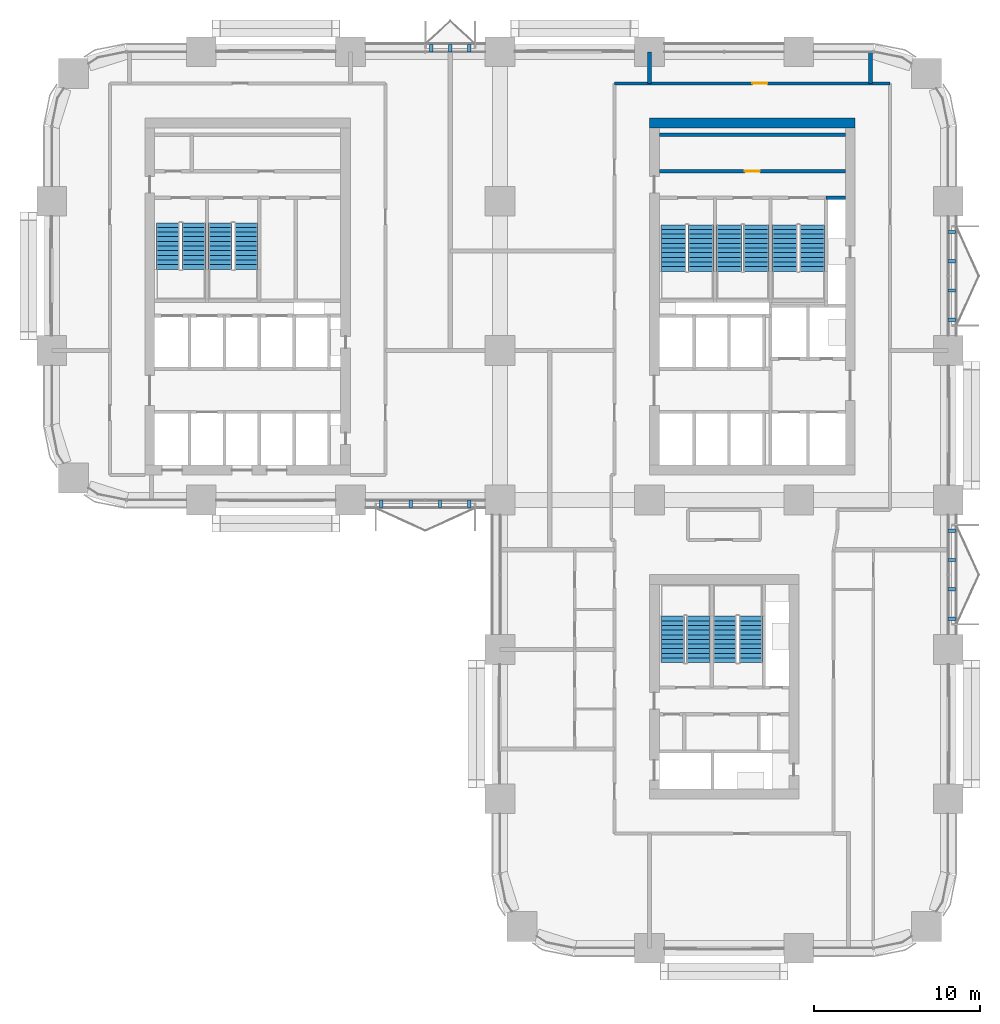
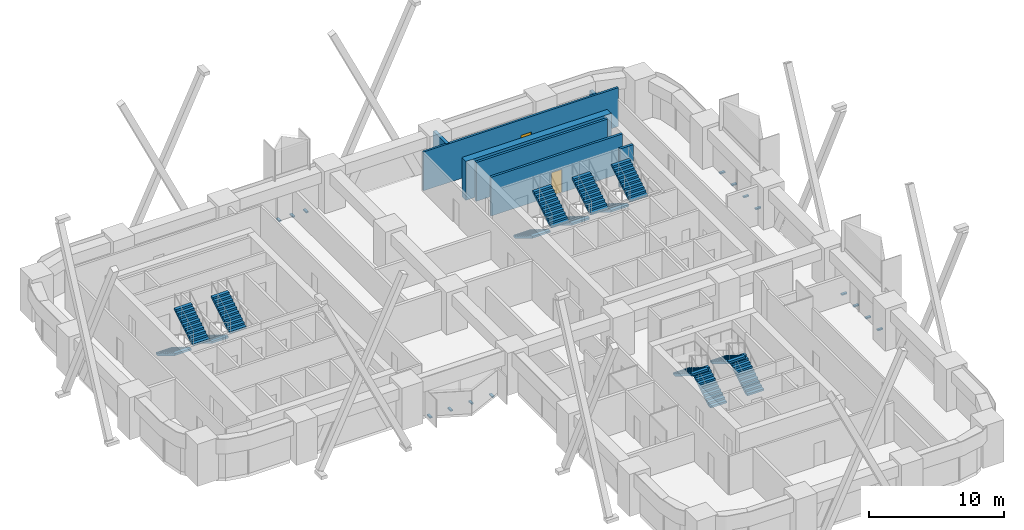
# One storey, part 17 of 19: 15 discrete accessories, 14 stair flights, 7 walls, 2 doors, 2 openings, 7 elements without a shape of their own.
"""IFC4 building model written with IfcOpenShell, lengths in metres."""

import ifcopenshell
import ifcopenshell.guid

model = None  # the IFC model being written
_history = None  # IfcOwnerHistory: only IFC2X3 demands one
_inside = {}  # id of a spatial element -> (the spatial element, [elements in it])
_under = {}  # id of a project, library or spatial element -> (it, [spatial elements below it])
_declared = {}  # id of a project -> (the project, [libraries it declares])
_typed = {}  # id of a type object -> (the type object, [elements of that type])
_made_of = {}  # id of a material, layer set ... -> (it, [elements and type objects made of it])


def new_model(schema):
    """Start an empty IFC model of exactly this schema.

    Asked for "IFC4X3", IfcOpenShell would pick the latest addendum, in which some entities
    have other attributes; the version numbers below select the first issue.
    IFC2X3 requires an IfcOwnerHistory on every rooted entity: one is made here for all.
    """
    global model, _history
    if schema == "IFC4X3":
        model = ifcopenshell.file(schema_version=(4, 3, 0, 0))
    else:
        model = ifcopenshell.file(schema=schema)
    _inside.clear()
    _under.clear()
    _declared.clear()
    _typed.clear()
    _made_of.clear()
    _history = None
    if model.schema == "IFC2X3":
        org = make("IfcOrganization", Name="unknown")
        user = make(
            "IfcPersonAndOrganization",
            ThePerson=make("IfcPerson", FamilyName="unknown"),
            TheOrganization=org,
        )
        app = make(
            "IfcApplication",
            ApplicationDeveloper=org,
            Version="unknown",
            ApplicationFullName="unknown",
            ApplicationIdentifier="unknown",
        )
        _history = make(
            "IfcOwnerHistory",
            OwningUser=user,
            OwningApplication=app,
            ChangeAction="ADDED",
            CreationDate=0,
        )
    return model


def make(cls, **values):
    """One entity of the class cls with the attributes given. An attribute that is None is left unset."""
    return model.create_entity(
        cls, **{name: value for name, value in values.items() if value is not None}
    )


def rooted(cls, **values):
    """An entity with a GlobalId (a new one), such as an element, a storey or a relation."""
    return make(cls, GlobalId=ifcopenshell.guid.new(), OwnerHistory=_history, **values)


def si_unit(unit_type, name, prefix=None):
    """IfcSIUnit, for example si_unit("LENGTHUNIT", "METRE", prefix="MILLI")."""
    return make("IfcSIUnit", UnitType=unit_type, Prefix=prefix, Name=name)


def assignment(units):
    """IfcUnitAssignment: the units of a project."""
    return None if units is None else make("IfcUnitAssignment", Units=units)


def point(xyz):
    """IfcCartesianPoint."""
    return None if xyz is None else make("IfcCartesianPoint", Coordinates=xyz)


def direction(xyz):
    """IfcDirection."""
    return None if xyz is None else make("IfcDirection", DirectionRatios=xyz)


def frame(location, z_axis=None, x_axis=None):
    """IfcAxis2Placement3D, a coordinate frame: its origin and axes. An axis left out is left unset."""
    return make(
        "IfcAxis2Placement3D",
        Location=point(location),
        Axis=direction(z_axis),
        RefDirection=direction(x_axis),
    )


def frame_2d(location, x_axis=None):
    """IfcAxis2Placement2D, a coordinate frame in the plane: its origin and x axis."""
    return make(
        "IfcAxis2Placement2D", Location=point(location), RefDirection=direction(x_axis)
    )


def origin():
    """The frame at (0, 0, 0) with its axes left unset."""
    return frame((0.0, 0.0, 0.0))


def origin_2d():
    """The frame at (0, 0) in the plane with its x axis left unset."""
    return frame_2d((0.0, 0.0))


def place(relative_to, where):
    """IfcLocalPlacement: puts the frame where relative to a parent placement (None: the world)."""
    return make(
        "IfcLocalPlacement", PlacementRelTo=relative_to, RelativePlacement=where
    )


def context(
    kind, dimensions, precision=None, world=None, true_north=None, identifier=None
):
    """IfcGeometricRepresentationContext, for example the 3D "Model" context."""
    return make(
        "IfcGeometricRepresentationContext",
        ContextIdentifier=identifier,
        ContextType=kind,
        CoordinateSpaceDimension=dimensions,
        Precision=precision,
        WorldCoordinateSystem=world,
        TrueNorth=true_north,
    )


def subcontext(parent, identifier, kind, view, scale=None):
    """IfcGeometricRepresentationSubContext, for example "Body" below "Model"."""
    return make(
        "IfcGeometricRepresentationSubContext",
        ContextIdentifier=identifier,
        ContextType=kind,
        ParentContext=parent,
        TargetScale=scale,
        TargetView=view,
    )


def project(units=None, contexts=None):
    """IfcProject with its units and contexts."""
    return rooted(
        "IfcProject",
        Name="project",
        RepresentationContexts=contexts,
        UnitsInContext=assignment(units),
    )


def spatial(cls, under=None, at=None, **own):
    """A site, building, storey or space (cls), placed at a placement, below another one or the project."""
    s = rooted(cls, ObjectPlacement=at, **own)
    if under is not None:
        _under.setdefault(under.id(), (under, []))[1].append(s)
    return s


def polyline(points):
    """IfcPolyline through the points."""
    return make("IfcPolyline", Points=[point(p) for p in points])


def profile(cls, at=None, kind="AREA", **sizes):
    """A parametric profile (cls). Its sizes go by their IFC names, for example OverallWidth=200.0."""
    return make(cls, ProfileType=kind, Position=at, **sizes)


def rectangle(**sizes):
    """IfcRectangleProfileDef."""
    return profile("IfcRectangleProfileDef", **sizes)


def outline(outer, holes=None, kind="AREA"):
    """IfcArbitraryClosedProfileDef: a profile drawn as a closed curve; with holes, ...WithVoids."""
    if holes is None:
        return make("IfcArbitraryClosedProfileDef", ProfileType=kind, OuterCurve=outer)
    return make(
        "IfcArbitraryProfileDefWithVoids",
        ProfileType=kind,
        OuterCurve=outer,
        InnerCurves=holes,
    )


def extrude(swept, where, along, depth):
    """IfcExtrudedAreaSolid: the profile swept, set in the frame where, extruded along a direction by depth."""
    return make(
        "IfcExtrudedAreaSolid",
        SweptArea=swept,
        Position=where,
        ExtrudedDirection=direction(along),
        Depth=depth,
    )


def shape(context_of_items, identifier, shape_type, items):
    """IfcShapeRepresentation: the items that make up one representation, for example the "Body"."""
    return make(
        "IfcShapeRepresentation",
        ContextOfItems=context_of_items,
        RepresentationIdentifier=identifier,
        RepresentationType=shape_type,
        Items=items,
    )


def material(Name=None, Category=None):
    """IfcMaterial."""
    return make("IfcMaterial", Name=Name, Category=Category)


def layer(
    of_material, thickness, ventilated=None, Name=None, Category=None, Priority=None
):
    """IfcMaterialLayer: one layer of a wall or slab, of a material (None: an air gap)."""
    return make(
        "IfcMaterialLayer",
        Material=of_material,
        LayerThickness=thickness,
        IsVentilated=ventilated,
        Name=Name,
        Category=Category,
        Priority=Priority,
    )


def layer_set(layers, Name=None):
    """IfcMaterialLayerSet."""
    return make("IfcMaterialLayerSet", MaterialLayers=layers, LayerSetName=Name)


def made_of(thing, what):
    """Note that an element or type object is made of a material, layer set ...; save() writes the relation."""
    if what is not None:
        _made_of.setdefault(what.id(), (what, []))[1].append(thing)
    return thing


def type_object(cls, material=None, **own):
    """A type object (cls), such as IfcWallType, which elements share."""
    return made_of(rooted(cls, **own), material)


def element(
    cls,
    number,
    at=None,
    inside=None,
    cuts=None,
    type_object=None,
    material=None,
    context=None,
    identifier="Body",
    shape_type=None,
    held_by="IfcProductDefinitionShape",
    body=None,
    shapes=None,
    **own,
):
    """One element of the class cls, such as IfcWall. Its Tag is "e" and its number.

    at: its placement. inside: the storey or other place that contains it. cuts: it is an
    opening in that element (IfcRelVoidsElement). A single representation is given by context,
    identifier, shape_type and body (its items); several are given by shapes. held_by: the class
    of the entity that holds the representations. save() writes the other relations.
    """
    e = rooted(cls, Tag="e%d" % number, ObjectPlacement=at, **own)
    if body is not None:
        shapes = [shape(context, identifier, shape_type, body)]
    if shapes is not None:
        e.Representation = make(held_by, Representations=shapes)
    if inside is not None:
        _inside.setdefault(inside.id(), (inside, []))[1].append(e)
    if cuts is not None:
        rooted(
            "IfcRelVoidsElement", RelatingBuildingElement=cuts, RelatedOpeningElement=e
        )
    if type_object is not None:
        _typed.setdefault(type_object.id(), (type_object, []))[1].append(e)
    return made_of(e, material)


def fill(opening, filler):
    """IfcRelFillsElement: the door or window that sits in an opening."""
    return rooted(
        "IfcRelFillsElement",
        RelatingOpeningElement=opening,
        RelatedBuildingElement=filler,
    )


def aggregate(whole, parts):
    """IfcRelAggregates: a whole, such as a stair, and the parts it consists of."""
    return rooted("IfcRelAggregates", RelatingObject=whole, RelatedObjects=parts)


def save(model, path):
    """Write the relations noted so far, then the file.

    IfcRelAggregates (storeys below a building ...), IfcRelContainedInSpatialStructure (elements
    in a storey), IfcRelDefinesByType, IfcRelAssociatesMaterial and IfcRelDeclares: one each for
    every whole, place, type object, material and project.
    """
    for whole, parts in _under.values():
        aggregate(whole, parts)
    for where, things in _inside.values():
        rooted(
            "IfcRelContainedInSpatialStructure",
            RelatedElements=things,
            RelatingStructure=where,
        )
    for kind, things in _typed.values():
        rooted("IfcRelDefinesByType", RelatedObjects=things, RelatingType=kind)
    for what, things in _made_of.values():
        rooted("IfcRelAssociatesMaterial", RelatedObjects=things, RelatingMaterial=what)
    for by, libraries in _declared.values():
        rooted("IfcRelDeclares", RelatingContext=by, RelatedDefinitions=libraries)
    model.write(path)


model = new_model("IFC4")

# Units and contexts
model_context = context("Model", 3, precision=1e-05, world=origin(), true_north=direction((0.0, 1.0)))
body_context = subcontext(model_context, "Body", "Model", "MODEL_VIEW")
ifc_project = project(units=[si_unit("LENGTHUNIT", "METRE"), si_unit("AREAUNIT", "SQUARE_METRE"), si_unit("VOLUMEUNIT", "CUBIC_METRE"), si_unit("PLANEANGLEUNIT", "RADIAN"), si_unit("MASSUNIT", "GRAM", prefix="KILO")], contexts=[model_context])

# Site, building, storey
site_placement = place(None, origin())
site = spatial("IfcSite", under=ifc_project, at=site_placement, CompositionType="ELEMENT")
building_placement = place(site_placement, origin())
building = spatial("IfcBuilding", under=site, at=building_placement, Name="Tessera Arch", CompositionType="ELEMENT")
storey_placement = place(building_placement, frame((0.0, 0.0, 93.0)))
storey = spatial("IfcBuildingStorey", under=building, at=storey_placement, Name="L21", CompositionType="ELEMENT", Elevation=93.0)

# Wall, opening, door
ifc_material_1 = material(Name="Gypsum board on steel stud", Category="steel")
ifc_layer_1 = layer(ifc_material_1, 0.125)
ifc_layer_set_1 = layer_set([ifc_layer_1], Name="Core partition 125 EI 60")
wall_type_1 = type_object("IfcWallType", Name="Core partition 125 EI 60", PredefinedType="PARTITIONING", material=ifc_layer_set_1)
wall_1_placement = place(storey_placement, frame((36.60009765625, 46.800048828125, 0.0), z_axis=(0.0, 0.0, 1.0), x_axis=(1.0, 0.0, 0.0)))
wall_1 = element("IfcWall", 1, at=wall_1_placement, inside=storey, type_object=wall_type_1, Name="L21 C1 partition wall 30", PredefinedType="PARTITIONING", context=body_context, shape_type="SweptSolid", body=[
    extrude(rectangle(XDim=11.199951171875, YDim=0.199951171875, at=frame_2d((5.60009765625, 0.0))), origin(), (0.0, 0.0, 1.0), 3.5),
])
opening_1_placement = place(wall_1_placement, frame((5.14990234375, 0.0, 0.0)))
opening_1 = element("IfcOpeningElement", 2, at=opening_1_placement, cuts=wall_1, Name="Opening L21-C12", PredefinedType="OPENING", context=body_context, shape_type="SweptSolid", body=[
    extrude(rectangle(XDim=0.89990234375, YDim=2.10009765625, at=frame_2d((0.449951171875, 1.050048828125))), frame((0.0, 0.10986328125, 0.0), z_axis=(0.0, -1.0, 0.0), x_axis=(1.0, 0.0, 0.0)), (0.0, 0.0, 1.0), 0.219970703125),
])
ifc_material_2 = material(Name="Steel door leaf", Category="steel")
door_type_1 = type_object("IfcDoorType", Name="Store door FD30S 900 x 2100", OperationType="SINGLE_SWING_LEFT", PredefinedType="DOOR", material=ifc_material_2)
door_1_placement = place(opening_1_placement, origin())
door_1 = element("IfcDoor", 3, at=door_1_placement, inside=storey, type_object=door_type_1, Name="L21 C1 door 12 C12 type D09", OperationType="SINGLE_SWING_RIGHT", OverallHeight=2.10009765625, OverallWidth=0.89990234375, PredefinedType="DOOR", context=body_context, shape_type="SweptSolid", body=[
    extrude(rectangle(XDim=0.89990234375, YDim=2.10009765625, at=frame_2d((0.449951171875, 1.050048828125))), frame((0.0, 0.02490234375, 0.0), z_axis=(0.0, -1.0, 0.0), x_axis=(1.0, 0.0, 0.0)), (0.0, 0.0, 1.0), 0.050048828125),
])
fill(opening_1, door_1)

# Walls
wall_2_placement = place(storey_placement, frame((36.60009765625, 49.0, 0.0), z_axis=(0.0, 0.0, 1.0), x_axis=(1.0, 0.0, 0.0)))
element("IfcWall", 4, at=wall_2_placement, inside=storey, type_object=wall_type_1, Name="L21 C1 partition wall 31", PredefinedType="PARTITIONING", context=body_context, shape_type="SweptSolid", body=[
    extrude(rectangle(XDim=11.199951171875, YDim=0.199951171875, at=frame_2d((5.60009765625, 0.0))), origin(), (0.0, 0.0, 1.0), 3.5),
])
ifc_material_3 = material(Name="Concrete C70/85", Category="concrete")
ifc_layer_2 = layer(ifc_material_3, 0.60009765625)
ifc_layer_set_2 = layer_set([ifc_layer_2], Name="Core shell wall 600 C70-85")
wall_type_2 = type_object("IfcWallType", Name="Core shell wall 600 C70-85", PredefinedType="SHEAR", material=ifc_layer_set_2)
wall_3_placement = place(storey_placement, frame((36.0, 49.699951171875, 0.0), z_axis=(0.0, 0.0, 1.0), x_axis=(1.0, 0.0, 0.0)))
element("IfcWall", 5, at=wall_3_placement, inside=storey, type_object=wall_type_2, Name="L21 C1 core wall N", PredefinedType="SHEAR", context=body_context, shape_type="SweptSolid", body=[
    extrude(rectangle(XDim=12.39990234375, YDim=0.60009765625, at=frame_2d((6.199951171875, 0.0))), origin(), (0.0, 0.0, 1.0), 3.5),
])

# Wall, opening, door
ifc_material_4 = material(Name="Gypsum board on deep steel stud with mineral wool", Category="steel")
ifc_layer_3 = layer(ifc_material_4, 0.175048828125)
ifc_layer_set_3 = layer_set([ifc_layer_3], Name="Corridor wall 175 EI 60")
wall_type_3 = type_object("IfcWallType", Name="Corridor wall 175 EI 60", PredefinedType="PARTITIONING", material=ifc_layer_set_3)
wall_4_placement = place(storey_placement, frame((33.89990234375, 52.10009765625, 0.0), z_axis=(0.0, 0.0, 1.0), x_axis=(1.0, 0.0, 0.0)))
wall_4 = element("IfcWall", 6, at=wall_4_placement, inside=storey, type_object=wall_type_3, Name="L21 partition 10", PredefinedType="PARTITIONING", context=body_context, shape_type="SweptSolid", body=[
    extrude(rectangle(XDim=16.60009765625, YDim=0.175048828125, at=frame_2d((8.300048828125, 0.0))), origin(), (0.0, 0.0, 1.0), 3.5),
])
opening_2_placement = place(wall_4_placement, frame((8.310791015625, 0.0, 0.0)))
opening_2 = element("IfcOpeningElement", 7, at=opening_2_placement, cuts=wall_4, Name="Opening L21-D023", PredefinedType="OPENING", context=body_context, shape_type="SweptSolid", body=[
    extrude(rectangle(XDim=0.89990234375, YDim=2.10009765625, at=frame_2d((0.449951171875, 1.050048828125))), frame((0.0, 0.097412109375, 0.0), z_axis=(0.0, -1.0, 0.0), x_axis=(1.0, 0.0, 0.0)), (0.0, 0.0, 1.0), 0.195068359375),
])
ifc_material_5 = material(Name="Timber door leaf", Category="wood")
door_type_2 = type_object("IfcDoorType", Name="Room door 900 x 2100", OperationType="SINGLE_SWING_LEFT", PredefinedType="DOOR", material=ifc_material_5)
door_2_placement = place(opening_2_placement, origin())
door_2 = element("IfcDoor", 8, at=door_2_placement, inside=storey, type_object=door_type_2, Name="L21 door D023 type D01", OperationType="SINGLE_SWING_LEFT", OverallHeight=2.10009765625, OverallWidth=0.89990234375, PredefinedType="DOOR", context=body_context, shape_type="SweptSolid", body=[
    extrude(rectangle(XDim=0.89990234375, YDim=2.10009765625, at=frame_2d((0.449951171875, 1.050048828125))), frame((0.0, 0.02490234375, 0.0), z_axis=(0.0, -1.0, 0.0), x_axis=(1.0, 0.0, 0.0)), (0.0, 0.0, 1.0), 0.050048828125),
])
fill(opening_2, door_2)

# Walls
ifc_material_6 = material(Name="Double gypsum board on twin steel stud with acoustic mineral wool", Category="steel")
ifc_layer_4 = layer(ifc_material_6, 0.25)
ifc_layer_set_4 = layer_set([ifc_layer_4], Name="Party wall 250 EI 60")
wall_type_4 = type_object("IfcWallType", Name="Party wall 250 EI 60", PredefinedType="PARTITIONING", material=ifc_layer_set_4)
wall_5_placement = place(storey_placement, frame((36.0, 52.10009765625, 0.0), z_axis=(0.0, 0.0, 1.0), x_axis=(0.0, 1.0, 0.0)))
element("IfcWall", 9, at=wall_5_placement, inside=storey, type_object=wall_type_4, Name="L21 partition 39", PredefinedType="PARTITIONING", context=body_context, shape_type="SweptSolid", body=[
    extrude(rectangle(XDim=1.89990234375, YDim=0.25, at=frame_2d((0.949951171875, 0.0))), origin(), (0.0, 0.0, 1.0), 3.5),
])
wall_6_placement = place(storey_placement, frame((49.322021484375, 52.10009765625, 0.0), z_axis=(0.0, 0.0, 1.0), x_axis=(0.0, 1.0, 0.0)))
element("IfcWall", 10, at=wall_6_placement, inside=storey, type_object=wall_type_4, Name="L21 partition 41", PredefinedType="PARTITIONING", context=body_context, shape_type="SweptSolid", body=[
    extrude(rectangle(XDim=1.89990234375, YDim=0.25, at=frame_2d((0.949951171875, 0.0))), origin(), (0.0, 0.0, 1.0), 2.5),
])
ifc_material_7 = material(Name="Concrete C40/50", Category="concrete")
ifc_layer_5 = layer(ifc_material_7, 0.199951171875)
ifc_layer_set_5 = layer_set([ifc_layer_5], Name="Shaft wall 200 EI 120")
wall_type_5 = type_object("IfcWallType", Name="Shaft wall 200 EI 120", PredefinedType="SOLIDWALL", material=ifc_layer_set_5)
wall_7_placement = place(storey_placement, frame((46.64990234375, 45.199951171875, 0.0), z_axis=(0.0, 0.0, 1.0), x_axis=(1.0, 0.0, 0.0)))
element("IfcWall", 11, at=wall_7_placement, inside=storey, type_object=wall_type_5, Name="L21 C1 shaft wall 28", PredefinedType="SOLIDWALL", context=body_context, shape_type="SweptSolid", body=[
    extrude(rectangle(XDim=1.150146484375, YDim=0.199951171875, at=frame_2d((0.5751953125, 0.0))), origin(), (0.0, 0.0, 1.0), 3.5),
])

# Stair, stair flights
ifc_material_8 = material(Name="Concrete C40/50", Category="concrete")
stair_type_1 = type_object("IfcStairType", Name="Dogleg stair 1400", PredefinedType="HALF_TURN_STAIR", material=ifc_material_8)
stair_1_placement = place(storey_placement, origin())
stair_1 = element("IfcStair", 12, at=stair_1_placement, inside=storey, type_object=stair_type_1, Name="L21 S2a", PredefinedType="HALF_TURN_STAIR")
ifc_material_9 = material(Name="Concrete C40/50", Category="concrete")
stair_flight_type_1 = type_object("IfcStairFlightType", Name="Stair flight 1400", PredefinedType="STRAIGHT", material=ifc_material_9)
stair_flight_1_placement = place(storey_placement, frame((7.0, 43.699951171875, 0.0), z_axis=(0.0, 0.0, 1.0), x_axis=(0.0, -1.0, 0.0)))
stair_flight_1 = element("IfcStairFlight", 13, at=stair_flight_1_placement, type_object=stair_flight_type_1, Name="S2a flight 1", NumberOfRisers=11, NumberOfTreads=10, PredefinedType="STRAIGHT", RiserHeight=0.172727273, TreadLength=0.28, context=body_context, shape_type="SweptSolid", body=[
    extrude(outline(polyline([(0.0, 0.0), (0.0, 0.172607421875), (0.280029296875, 0.172607421875), (0.280029296875, 0.345458984375), (0.56005859375, 0.345458984375), (0.56005859375, 0.51806640625), (0.840087890625, 0.51806640625), (0.840087890625, 0.69091796875), (1.1201171875, 0.69091796875), (1.1201171875, 0.863525390625), (1.39990234375, 0.863525390625), (1.39990234375, 1.036376953125), (1.679931640625, 1.036376953125), (1.679931640625, 1.208984375), (1.9599609375, 1.208984375), (1.9599609375, 1.3818359375), (2.239990234375, 1.3818359375), (2.239990234375, 1.554443359375), (2.52001953125, 1.554443359375), (2.52001953125, 1.727294921875), (2.800048828125, 1.727294921875), (2.800048828125, 1.89990234375), (2.800048828125, 1.551025390625), (0.285400390625, 0.0), (0.0, 0.0)])), frame((0.0, 0.699951171875, 0.0), z_axis=(0.0, -1.0, 0.0), x_axis=(1.0, 0.0, 0.0)), (0.0, 0.0, 1.0), 1.39990234375),
])
stair_flight_2_placement = place(storey_placement, frame((8.550048828125, 40.89990234375, 1.89990234375), z_axis=(0.0, 0.0, 1.0), x_axis=(0.0, 1.0, 0.0)))
stair_flight_2 = element("IfcStairFlight", 14, at=stair_flight_2_placement, type_object=stair_flight_type_1, Name="S2a flight 2", NumberOfRisers=11, NumberOfTreads=10, PredefinedType="STRAIGHT", RiserHeight=0.172727273, TreadLength=0.28, context=body_context, shape_type="SweptSolid", body=[
    extrude(outline(polyline([(0.0, 0.0), (0.0, 0.172607421875), (0.280029296875, 0.172607421875), (0.280029296875, 0.345458984375), (0.56005859375, 0.345458984375), (0.56005859375, 0.51806640625), (0.840087890625, 0.51806640625), (0.840087890625, 0.69091796875), (1.1201171875, 0.69091796875), (1.1201171875, 0.863525390625), (1.39990234375, 0.863525390625), (1.39990234375, 1.036376953125), (1.679931640625, 1.036376953125), (1.679931640625, 1.208984375), (1.9599609375, 1.208984375), (1.9599609375, 1.3818359375), (2.239990234375, 1.3818359375), (2.239990234375, 1.554443359375), (2.52001953125, 1.554443359375), (2.52001953125, 1.727294921875), (2.800048828125, 1.727294921875), (2.800048828125, 1.89990234375), (2.800048828125, 1.551025390625), (0.285400390625, 0.0), (0.0, 0.0)])), frame((0.0, 0.699951171875, 0.0), z_axis=(0.0, -1.0, 0.0), x_axis=(1.0, 0.0, 0.0)), (0.0, 0.0, 1.0), 1.39990234375),
])
aggregate(stair_1, [stair_flight_1, stair_flight_2])

stair_2_placement = place(storey_placement, origin())
stair_2 = element("IfcStair", 15, at=stair_2_placement, inside=storey, type_object=stair_type_1, Name="L21 S2b", PredefinedType="HALF_TURN_STAIR")
stair_flight_3_placement = place(storey_placement, frame((10.14990234375, 43.699951171875, 0.0), z_axis=(0.0, 0.0, 1.0), x_axis=(0.0, -1.0, 0.0)))
stair_flight_3 = element("IfcStairFlight", 16, at=stair_flight_3_placement, type_object=stair_flight_type_1, Name="S2b flight 1", NumberOfRisers=11, NumberOfTreads=10, PredefinedType="STRAIGHT", RiserHeight=0.172727273, TreadLength=0.28, context=body_context, shape_type="SweptSolid", body=[
    extrude(outline(polyline([(0.0, 0.0), (0.0, 0.172607421875), (0.280029296875, 0.172607421875), (0.280029296875, 0.345458984375), (0.56005859375, 0.345458984375), (0.56005859375, 0.51806640625), (0.840087890625, 0.51806640625), (0.840087890625, 0.69091796875), (1.1201171875, 0.69091796875), (1.1201171875, 0.863525390625), (1.39990234375, 0.863525390625), (1.39990234375, 1.036376953125), (1.679931640625, 1.036376953125), (1.679931640625, 1.208984375), (1.9599609375, 1.208984375), (1.9599609375, 1.3818359375), (2.239990234375, 1.3818359375), (2.239990234375, 1.554443359375), (2.52001953125, 1.554443359375), (2.52001953125, 1.727294921875), (2.800048828125, 1.727294921875), (2.800048828125, 1.89990234375), (2.800048828125, 1.551025390625), (0.285400390625, 0.0), (0.0, 0.0)])), frame((0.0, 0.699951171875, 0.0), z_axis=(0.0, -1.0, 0.0), x_axis=(1.0, 0.0, 0.0)), (0.0, 0.0, 1.0), 1.39990234375),
])
stair_flight_4_placement = place(storey_placement, frame((11.699951171875, 40.89990234375, 1.89990234375), z_axis=(0.0, 0.0, 1.0), x_axis=(0.0, 1.0, 0.0)))
stair_flight_4 = element("IfcStairFlight", 17, at=stair_flight_4_placement, type_object=stair_flight_type_1, Name="S2b flight 2", NumberOfRisers=11, NumberOfTreads=10, PredefinedType="STRAIGHT", RiserHeight=0.172727273, TreadLength=0.28, context=body_context, shape_type="SweptSolid", body=[
    extrude(outline(polyline([(0.0, 0.0), (0.0, 0.172607421875), (0.280029296875, 0.172607421875), (0.280029296875, 0.345458984375), (0.56005859375, 0.345458984375), (0.56005859375, 0.51806640625), (0.840087890625, 0.51806640625), (0.840087890625, 0.69091796875), (1.1201171875, 0.69091796875), (1.1201171875, 0.863525390625), (1.39990234375, 0.863525390625), (1.39990234375, 1.036376953125), (1.679931640625, 1.036376953125), (1.679931640625, 1.208984375), (1.9599609375, 1.208984375), (1.9599609375, 1.3818359375), (2.239990234375, 1.3818359375), (2.239990234375, 1.554443359375), (2.52001953125, 1.554443359375), (2.52001953125, 1.727294921875), (2.800048828125, 1.727294921875), (2.800048828125, 1.89990234375), (2.800048828125, 1.551025390625), (0.285400390625, 0.0), (0.0, 0.0)])), frame((0.0, 0.699951171875, 0.0), z_axis=(0.0, -1.0, 0.0), x_axis=(1.0, 0.0, 0.0)), (0.0, 0.0, 1.0), 1.39990234375),
])
aggregate(stair_2, [stair_flight_3, stair_flight_4])

stair_3_placement = place(storey_placement, origin())
stair_3 = element("IfcStair", 18, at=stair_3_placement, inside=storey, type_object=stair_type_1, Name="L21 S3a", PredefinedType="HALF_TURN_STAIR")
stair_flight_5_placement = place(storey_placement, frame((38.949951171875, 17.199951171875, 0.0), z_axis=(0.0, 0.0, 1.0), x_axis=(0.0, 1.0, 0.0)))
stair_flight_5 = element("IfcStairFlight", 19, at=stair_flight_5_placement, type_object=stair_flight_type_1, Name="S3a flight 1", NumberOfRisers=11, NumberOfTreads=10, PredefinedType="STRAIGHT", RiserHeight=0.172727273, TreadLength=0.28, context=body_context, shape_type="SweptSolid", body=[
    extrude(outline(polyline([(0.0, 0.0), (0.0, 0.172607421875), (0.280029296875, 0.172607421875), (0.280029296875, 0.345458984375), (0.56005859375, 0.345458984375), (0.56005859375, 0.51806640625), (0.840087890625, 0.51806640625), (0.840087890625, 0.69091796875), (1.1201171875, 0.69091796875), (1.1201171875, 0.863525390625), (1.39990234375, 0.863525390625), (1.39990234375, 1.036376953125), (1.679931640625, 1.036376953125), (1.679931640625, 1.208984375), (1.9599609375, 1.208984375), (1.9599609375, 1.3818359375), (2.239990234375, 1.3818359375), (2.239990234375, 1.554443359375), (2.52001953125, 1.554443359375), (2.52001953125, 1.727294921875), (2.800048828125, 1.727294921875), (2.800048828125, 1.89990234375), (2.800048828125, 1.551025390625), (0.285400390625, 0.0), (0.0, 0.0)])), frame((0.0, 0.699951171875, 0.0), z_axis=(0.0, -1.0, 0.0), x_axis=(1.0, 0.0, 0.0)), (0.0, 0.0, 1.0), 1.39990234375),
])
stair_flight_6_placement = place(storey_placement, frame((37.39990234375, 20.0, 1.89990234375), z_axis=(0.0, 0.0, 1.0), x_axis=(0.0, -1.0, 0.0)))
stair_flight_6 = element("IfcStairFlight", 20, at=stair_flight_6_placement, type_object=stair_flight_type_1, Name="S3a flight 2", NumberOfRisers=11, NumberOfTreads=10, PredefinedType="STRAIGHT", RiserHeight=0.172727273, TreadLength=0.28, context=body_context, shape_type="SweptSolid", body=[
    extrude(outline(polyline([(0.0, 0.0), (0.0, 0.172607421875), (0.280029296875, 0.172607421875), (0.280029296875, 0.345458984375), (0.56005859375, 0.345458984375), (0.56005859375, 0.51806640625), (0.840087890625, 0.51806640625), (0.840087890625, 0.69091796875), (1.1201171875, 0.69091796875), (1.1201171875, 0.863525390625), (1.39990234375, 0.863525390625), (1.39990234375, 1.036376953125), (1.679931640625, 1.036376953125), (1.679931640625, 1.208984375), (1.9599609375, 1.208984375), (1.9599609375, 1.3818359375), (2.239990234375, 1.3818359375), (2.239990234375, 1.554443359375), (2.52001953125, 1.554443359375), (2.52001953125, 1.727294921875), (2.800048828125, 1.727294921875), (2.800048828125, 1.89990234375), (2.800048828125, 1.551025390625), (0.285400390625, 0.0), (0.0, 0.0)])), frame((0.0, 0.699951171875, 0.0), z_axis=(0.0, -1.0, 0.0), x_axis=(1.0, 0.0, 0.0)), (0.0, 0.0, 1.0), 1.39990234375),
])
aggregate(stair_3, [stair_flight_5, stair_flight_6])

stair_4_placement = place(storey_placement, origin())
stair_4 = element("IfcStair", 21, at=stair_4_placement, inside=storey, type_object=stair_type_1, Name="L21 S3b", PredefinedType="HALF_TURN_STAIR")
stair_flight_7_placement = place(storey_placement, frame((42.10009765625, 17.199951171875, 0.0), z_axis=(0.0, 0.0, 1.0), x_axis=(0.0, 1.0, 0.0)))
stair_flight_7 = element("IfcStairFlight", 22, at=stair_flight_7_placement, type_object=stair_flight_type_1, Name="S3b flight 1", NumberOfRisers=11, NumberOfTreads=10, PredefinedType="STRAIGHT", RiserHeight=0.172727273, TreadLength=0.28, context=body_context, shape_type="SweptSolid", body=[
    extrude(outline(polyline([(0.0, 0.0), (0.0, 0.172607421875), (0.280029296875, 0.172607421875), (0.280029296875, 0.345458984375), (0.56005859375, 0.345458984375), (0.56005859375, 0.51806640625), (0.840087890625, 0.51806640625), (0.840087890625, 0.69091796875), (1.1201171875, 0.69091796875), (1.1201171875, 0.863525390625), (1.39990234375, 0.863525390625), (1.39990234375, 1.036376953125), (1.679931640625, 1.036376953125), (1.679931640625, 1.208984375), (1.9599609375, 1.208984375), (1.9599609375, 1.3818359375), (2.239990234375, 1.3818359375), (2.239990234375, 1.554443359375), (2.52001953125, 1.554443359375), (2.52001953125, 1.727294921875), (2.800048828125, 1.727294921875), (2.800048828125, 1.89990234375), (2.800048828125, 1.551025390625), (0.285400390625, 0.0), (0.0, 0.0)])), frame((0.0, 0.699951171875, 0.0), z_axis=(0.0, -1.0, 0.0), x_axis=(1.0, 0.0, 0.0)), (0.0, 0.0, 1.0), 1.39990234375),
])
stair_flight_8_placement = place(storey_placement, frame((40.550048828125, 20.0, 1.89990234375), z_axis=(0.0, 0.0, 1.0), x_axis=(0.0, -1.0, 0.0)))
stair_flight_8 = element("IfcStairFlight", 23, at=stair_flight_8_placement, type_object=stair_flight_type_1, Name="S3b flight 2", NumberOfRisers=11, NumberOfTreads=10, PredefinedType="STRAIGHT", RiserHeight=0.172727273, TreadLength=0.28, context=body_context, shape_type="SweptSolid", body=[
    extrude(outline(polyline([(0.0, 0.0), (0.0, 0.172607421875), (0.280029296875, 0.172607421875), (0.280029296875, 0.345458984375), (0.56005859375, 0.345458984375), (0.56005859375, 0.51806640625), (0.840087890625, 0.51806640625), (0.840087890625, 0.69091796875), (1.1201171875, 0.69091796875), (1.1201171875, 0.863525390625), (1.39990234375, 0.863525390625), (1.39990234375, 1.036376953125), (1.679931640625, 1.036376953125), (1.679931640625, 1.208984375), (1.9599609375, 1.208984375), (1.9599609375, 1.3818359375), (2.239990234375, 1.3818359375), (2.239990234375, 1.554443359375), (2.52001953125, 1.554443359375), (2.52001953125, 1.727294921875), (2.800048828125, 1.727294921875), (2.800048828125, 1.89990234375), (2.800048828125, 1.551025390625), (0.285400390625, 0.0), (0.0, 0.0)])), frame((0.0, 0.699951171875, 0.0), z_axis=(0.0, -1.0, 0.0), x_axis=(1.0, 0.0, 0.0)), (0.0, 0.0, 1.0), 1.39990234375),
])
aggregate(stair_4, [stair_flight_7, stair_flight_8])

ifc_material_10 = material(Name="Concrete C40/50", Category="concrete")
stair_type_2 = type_object("IfcStairType", Name="Dogleg stair 1520", PredefinedType="HALF_TURN_STAIR", material=ifc_material_10)
stair_5_placement = place(storey_placement, origin())
stair_5 = element("IfcStair", 24, at=stair_5_placement, inside=storey, type_object=stair_type_2, Name="L21 S1a", PredefinedType="HALF_TURN_STAIR")
ifc_material_11 = material(Name="Concrete C40/50", Category="concrete")
stair_flight_type_2 = type_object("IfcStairFlightType", Name="Stair flight 1520", PredefinedType="STRAIGHT", material=ifc_material_11)
stair_flight_9_placement = place(storey_placement, frame((37.4599609375, 43.580078125, 0.0), z_axis=(0.0, 0.0, 1.0), x_axis=(0.0, -1.0, 0.0)))
stair_flight_9 = element("IfcStairFlight", 25, at=stair_flight_9_placement, type_object=stair_flight_type_2, Name="S1a flight 1", NumberOfRisers=11, NumberOfTreads=10, PredefinedType="STRAIGHT", RiserHeight=0.172727273, TreadLength=0.28, context=body_context, shape_type="SweptSolid", body=[
    extrude(outline(polyline([(0.0, 0.0), (0.0, 0.172607421875), (0.280029296875, 0.172607421875), (0.280029296875, 0.345458984375), (0.56005859375, 0.345458984375), (0.56005859375, 0.51806640625), (0.840087890625, 0.51806640625), (0.840087890625, 0.69091796875), (1.1201171875, 0.69091796875), (1.1201171875, 0.863525390625), (1.39990234375, 0.863525390625), (1.39990234375, 1.036376953125), (1.679931640625, 1.036376953125), (1.679931640625, 1.208984375), (1.9599609375, 1.208984375), (1.9599609375, 1.3818359375), (2.239990234375, 1.3818359375), (2.239990234375, 1.554443359375), (2.52001953125, 1.554443359375), (2.52001953125, 1.727294921875), (2.800048828125, 1.727294921875), (2.800048828125, 1.89990234375), (2.800048828125, 1.551025390625), (0.285400390625, 0.0), (0.0, 0.0)])), frame((0.0, 0.760009765625, 0.0), z_axis=(0.0, -1.0, 0.0), x_axis=(1.0, 0.0, 0.0)), (0.0, 0.0, 1.0), 1.52001953125),
])
stair_flight_10_placement = place(storey_placement, frame((39.090087890625, 40.780029296875, 1.89990234375), z_axis=(0.0, 0.0, 1.0), x_axis=(0.0, 1.0, 0.0)))
stair_flight_10 = element("IfcStairFlight", 26, at=stair_flight_10_placement, type_object=stair_flight_type_2, Name="S1a flight 2", NumberOfRisers=11, NumberOfTreads=10, PredefinedType="STRAIGHT", RiserHeight=0.172727273, TreadLength=0.28, context=body_context, shape_type="SweptSolid", body=[
    extrude(outline(polyline([(0.0, 0.0), (0.0, 0.172607421875), (0.280029296875, 0.172607421875), (0.280029296875, 0.345458984375), (0.56005859375, 0.345458984375), (0.56005859375, 0.51806640625), (0.840087890625, 0.51806640625), (0.840087890625, 0.69091796875), (1.1201171875, 0.69091796875), (1.1201171875, 0.863525390625), (1.39990234375, 0.863525390625), (1.39990234375, 1.036376953125), (1.679931640625, 1.036376953125), (1.679931640625, 1.208984375), (1.9599609375, 1.208984375), (1.9599609375, 1.3818359375), (2.239990234375, 1.3818359375), (2.239990234375, 1.554443359375), (2.52001953125, 1.554443359375), (2.52001953125, 1.727294921875), (2.800048828125, 1.727294921875), (2.800048828125, 1.89990234375), (2.800048828125, 1.551025390625), (0.285400390625, 0.0), (0.0, 0.0)])), frame((0.0, 0.760009765625, 0.0), z_axis=(0.0, -1.0, 0.0), x_axis=(1.0, 0.0, 0.0)), (0.0, 0.0, 1.0), 1.52001953125),
])
aggregate(stair_5, [stair_flight_9, stair_flight_10])

stair_6_placement = place(storey_placement, origin())
stair_6 = element("IfcStair", 27, at=stair_6_placement, inside=storey, type_object=stair_type_2, Name="L21 S1b", PredefinedType="HALF_TURN_STAIR")
stair_flight_11_placement = place(storey_placement, frame((40.81005859375, 43.580078125, 0.0), z_axis=(0.0, 0.0, 1.0), x_axis=(0.0, -1.0, 0.0)))
stair_flight_11 = element("IfcStairFlight", 28, at=stair_flight_11_placement, type_object=stair_flight_type_2, Name="S1b flight 1", NumberOfRisers=11, NumberOfTreads=10, PredefinedType="STRAIGHT", RiserHeight=0.172727273, TreadLength=0.28, context=body_context, shape_type="SweptSolid", body=[
    extrude(outline(polyline([(0.0, 0.0), (0.0, 0.172607421875), (0.280029296875, 0.172607421875), (0.280029296875, 0.345458984375), (0.56005859375, 0.345458984375), (0.56005859375, 0.51806640625), (0.840087890625, 0.51806640625), (0.840087890625, 0.69091796875), (1.1201171875, 0.69091796875), (1.1201171875, 0.863525390625), (1.39990234375, 0.863525390625), (1.39990234375, 1.036376953125), (1.679931640625, 1.036376953125), (1.679931640625, 1.208984375), (1.9599609375, 1.208984375), (1.9599609375, 1.3818359375), (2.239990234375, 1.3818359375), (2.239990234375, 1.554443359375), (2.52001953125, 1.554443359375), (2.52001953125, 1.727294921875), (2.800048828125, 1.727294921875), (2.800048828125, 1.89990234375), (2.800048828125, 1.551025390625), (0.285400390625, 0.0), (0.0, 0.0)])), frame((0.0, 0.760009765625, 0.0), z_axis=(0.0, -1.0, 0.0), x_axis=(1.0, 0.0, 0.0)), (0.0, 0.0, 1.0), 1.52001953125),
])
stair_flight_12_placement = place(storey_placement, frame((42.43994140625, 40.780029296875, 1.89990234375), z_axis=(0.0, 0.0, 1.0), x_axis=(0.0, 1.0, 0.0)))
stair_flight_12 = element("IfcStairFlight", 29, at=stair_flight_12_placement, type_object=stair_flight_type_2, Name="S1b flight 2", NumberOfRisers=11, NumberOfTreads=10, PredefinedType="STRAIGHT", RiserHeight=0.172727273, TreadLength=0.28, context=body_context, shape_type="SweptSolid", body=[
    extrude(outline(polyline([(0.0, 0.0), (0.0, 0.172607421875), (0.280029296875, 0.172607421875), (0.280029296875, 0.345458984375), (0.56005859375, 0.345458984375), (0.56005859375, 0.51806640625), (0.840087890625, 0.51806640625), (0.840087890625, 0.69091796875), (1.1201171875, 0.69091796875), (1.1201171875, 0.863525390625), (1.39990234375, 0.863525390625), (1.39990234375, 1.036376953125), (1.679931640625, 1.036376953125), (1.679931640625, 1.208984375), (1.9599609375, 1.208984375), (1.9599609375, 1.3818359375), (2.239990234375, 1.3818359375), (2.239990234375, 1.554443359375), (2.52001953125, 1.554443359375), (2.52001953125, 1.727294921875), (2.800048828125, 1.727294921875), (2.800048828125, 1.89990234375), (2.800048828125, 1.551025390625), (0.285400390625, 0.0), (0.0, 0.0)])), frame((0.0, 0.760009765625, 0.0), z_axis=(0.0, -1.0, 0.0), x_axis=(1.0, 0.0, 0.0)), (0.0, 0.0, 1.0), 1.52001953125),
])
aggregate(stair_6, [stair_flight_11, stair_flight_12])

stair_7_placement = place(storey_placement, origin())
stair_7 = element("IfcStair", 30, at=stair_7_placement, inside=storey, type_object=stair_type_2, Name="L21 S1c", PredefinedType="HALF_TURN_STAIR")
stair_flight_13_placement = place(storey_placement, frame((44.159912109375, 43.580078125, 0.0), z_axis=(0.0, 0.0, 1.0), x_axis=(0.0, -1.0, 0.0)))
stair_flight_13 = element("IfcStairFlight", 31, at=stair_flight_13_placement, type_object=stair_flight_type_2, Name="S1c flight 1", NumberOfRisers=11, NumberOfTreads=10, PredefinedType="STRAIGHT", RiserHeight=0.172727273, TreadLength=0.28, context=body_context, shape_type="SweptSolid", body=[
    extrude(outline(polyline([(0.0, 0.0), (0.0, 0.172607421875), (0.280029296875, 0.172607421875), (0.280029296875, 0.345458984375), (0.56005859375, 0.345458984375), (0.56005859375, 0.51806640625), (0.840087890625, 0.51806640625), (0.840087890625, 0.69091796875), (1.1201171875, 0.69091796875), (1.1201171875, 0.863525390625), (1.39990234375, 0.863525390625), (1.39990234375, 1.036376953125), (1.679931640625, 1.036376953125), (1.679931640625, 1.208984375), (1.9599609375, 1.208984375), (1.9599609375, 1.3818359375), (2.239990234375, 1.3818359375), (2.239990234375, 1.554443359375), (2.52001953125, 1.554443359375), (2.52001953125, 1.727294921875), (2.800048828125, 1.727294921875), (2.800048828125, 1.89990234375), (2.800048828125, 1.551025390625), (0.285400390625, 0.0), (0.0, 0.0)])), frame((0.0, 0.760009765625, 0.0), z_axis=(0.0, -1.0, 0.0), x_axis=(1.0, 0.0, 0.0)), (0.0, 0.0, 1.0), 1.52001953125),
])
stair_flight_14_placement = place(storey_placement, frame((45.7900390625, 40.780029296875, 1.89990234375), z_axis=(0.0, 0.0, 1.0), x_axis=(0.0, 1.0, 0.0)))
stair_flight_14 = element("IfcStairFlight", 32, at=stair_flight_14_placement, type_object=stair_flight_type_2, Name="S1c flight 2", NumberOfRisers=11, NumberOfTreads=10, PredefinedType="STRAIGHT", RiserHeight=0.172727273, TreadLength=0.28, context=body_context, shape_type="SweptSolid", body=[
    extrude(outline(polyline([(0.0, 0.0), (0.0, 0.172607421875), (0.280029296875, 0.172607421875), (0.280029296875, 0.345458984375), (0.56005859375, 0.345458984375), (0.56005859375, 0.51806640625), (0.840087890625, 0.51806640625), (0.840087890625, 0.69091796875), (1.1201171875, 0.69091796875), (1.1201171875, 0.863525390625), (1.39990234375, 0.863525390625), (1.39990234375, 1.036376953125), (1.679931640625, 1.036376953125), (1.679931640625, 1.208984375), (1.9599609375, 1.208984375), (1.9599609375, 1.3818359375), (2.239990234375, 1.3818359375), (2.239990234375, 1.554443359375), (2.52001953125, 1.554443359375), (2.52001953125, 1.727294921875), (2.800048828125, 1.727294921875), (2.800048828125, 1.89990234375), (2.800048828125, 1.551025390625), (0.285400390625, 0.0), (0.0, 0.0)])), frame((0.0, 0.760009765625, 0.0), z_axis=(0.0, -1.0, 0.0), x_axis=(1.0, 0.0, 0.0)), (0.0, 0.0, 1.0), 1.52001953125),
])
aggregate(stair_7, [stair_flight_13, stair_flight_14])

# Discrete accessories
for number, where, z_axis, x_axis, name in (
    (33, (25.14990234375, 54.219970703125, -0.1201171875), (0.0, 0.0, 1.0), (0.0, 1.0, 0.0), "Window box bracket"),
    (34, (24.0, 54.219970703125, -0.1201171875), (0.0, 0.0, 1.0), (0.0, 1.0, 0.0), "Window box bracket"),
    (35, (22.85009765625, 54.219970703125, -0.1201171875), (0.0, 0.0, 1.0), (0.0, 1.0, 0.0), "Window box bracket"),
    (36, (19.85009765625, 26.780029296875, -0.1201171875), (0.0, 0.0, 1.0), (0.0, -1.0, 0.0), "Window box bracket"),
    (37, (21.61669921875, 26.780029296875, -0.1201171875), (0.0, 0.0, 1.0), (0.0, -1.0, 0.0), "Window box bracket"),
    (38, (23.38330078125, 26.780029296875, -0.1201171875), (0.0, 0.0, 1.0), (0.0, -1.0, 0.0), "Window box bracket"),
    (39, (25.14990234375, 26.780029296875, -0.1201171875), (0.0, 0.0, 1.0), (0.0, -1.0, 0.0), "Window box bracket"),
    (40, (54.219970703125, 37.85009765625, -0.1201171875), (0.0, 0.0, 1.0), (1.0, 0.0, 0.0), "Window box bracket"),
    (41, (54.219970703125, 39.61669921875, -0.1201171875), (0.0, 0.0, 1.0), (1.0, 0.0, 0.0), "Window box bracket"),
    (42, (54.219970703125, 41.38330078125, -0.1201171875), (0.0, 0.0, 1.0), (1.0, 0.0, 0.0), "Window box bracket"),
    (43, (54.219970703125, 43.14990234375, -0.1201171875), (0.0, 0.0, 1.0), (1.0, 0.0, 0.0), "Window box bracket"),
    (44, (54.219970703125, 19.85009765625, -0.1201171875), (0.0, 0.0, 1.0), (1.0, 0.0, 0.0), "Window box bracket"),
    (45, (54.219970703125, 21.61669921875, -0.1201171875), (0.0, 0.0, 1.0), (1.0, 0.0, 0.0), "Window box bracket"),
    (46, (54.219970703125, 23.38330078125, -0.1201171875), (0.0, 0.0, 1.0), (1.0, 0.0, 0.0), "Window box bracket"),
    (47, (54.219970703125, 25.14990234375, -0.1201171875), (0.0, 0.0, 1.0), (1.0, 0.0, 0.0), "Window box bracket"),
):
    element("IfcDiscreteAccessory", number, at=place(storey_placement, frame(where, z_axis=z_axis, x_axis=x_axis)), inside=storey, Name=name, PredefinedType="BRACKET", context=body_context, shape_type="SweptSolid", body=[
        extrude(rectangle(XDim=0.43994140625, YDim=0.199951171875, at=origin_2d()), origin(), (0.0, 0.0, 1.0), 0.1201171875),
    ])

save(model, "model.ifc")
